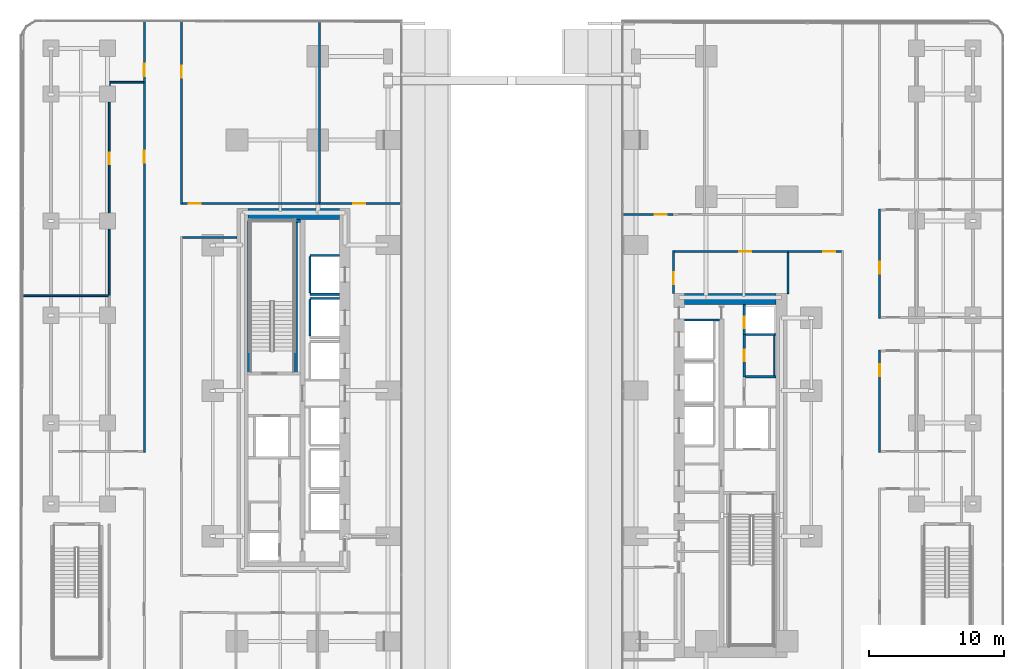
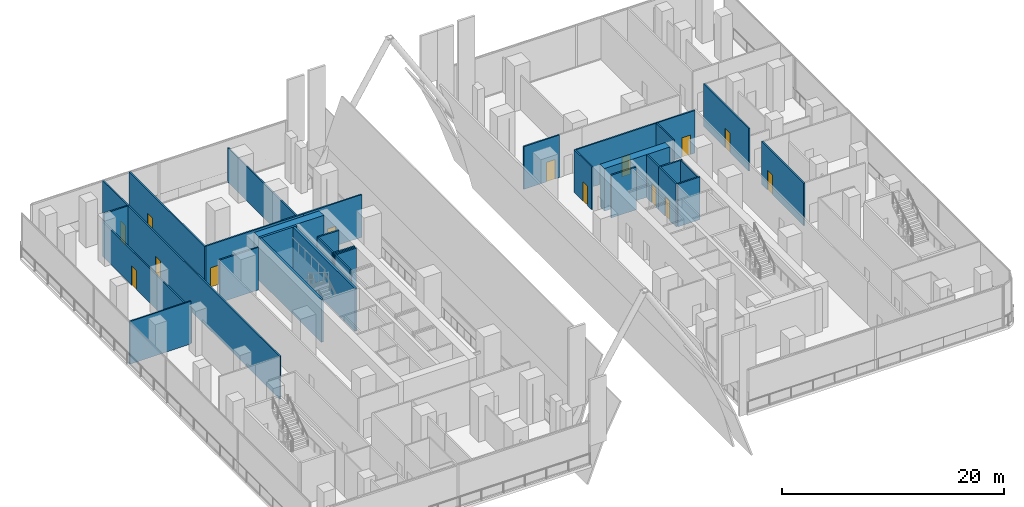
# One storey, part 9 of 31: 33 walls, 14 doors, 14 openings.
"""IFC4 building model written with IfcOpenShell, lengths in metres."""

from ifc_helpers import new_model, si_unit, direction, frame, frame_2d, origin, place, context, subcontext, project, spatial, rectangle, extrude, material, layer, layer_set, type_object, element, fill, save


model = new_model("IFC4")

# Units and contexts
model_context = context("Model", 3, precision=1e-05, world=origin(), true_north=direction((0.0, 1.0)))
body_context = subcontext(model_context, "Body", "Model", "MODEL_VIEW")
ifc_project = project(units=[si_unit("LENGTHUNIT", "METRE"), si_unit("AREAUNIT", "SQUARE_METRE"), si_unit("VOLUMEUNIT", "CUBIC_METRE"), si_unit("PLANEANGLEUNIT", "RADIAN"), si_unit("MASSUNIT", "GRAM", prefix="KILO")], contexts=[model_context])

# Site, building, storey
site_placement = place(None, origin())
site = spatial("IfcSite", under=ifc_project, at=site_placement, CompositionType="ELEMENT")
building_placement = place(site_placement, origin())
building = spatial("IfcBuilding", under=site, at=building_placement, Name="Khairoan Windgate Tower", CompositionType="ELEMENT")
storey_placement = place(building_placement, frame((0.0, 0.0, 6.0)))
storey = spatial("IfcBuildingStorey", under=building, at=storey_placement, Name="L02", CompositionType="ELEMENT", Elevation=6.0)

# Walls
ifc_material_1 = material(Name="Moisture-Resistant Gypsum Partition", Category="gypsum")
ifc_layer_1 = layer(ifc_material_1, 0.10009765625, Name="Moisture-Resistant Gypsum Partition")
ifc_layer_set_1 = layer_set([ifc_layer_1], Name="Moisture-Resistant Gypsum Partition")
wall_type_1 = type_object("IfcWallType", Name="Bathroom Wet-Area Partition Wall", PredefinedType="PARTITIONING", material=ifc_layer_set_1)
wall_1_placement = place(storey_placement, frame((19.449951171875, 4.090087890625, 0.0), z_axis=(0.0, 0.0, 1.0), x_axis=(0.0, -1.0, 0.0)))
element("IfcWall", 1, at=wall_1_placement, inside=storey, type_object=wall_type_1, Name="L02 Wet Room Side Wall 080", PredefinedType="PARTITIONING", context=body_context, shape_type="SweptSolid", body=[
    extrude(rectangle(XDim=2.97998046875, YDim=0.10009765625, at=frame_2d((1.489990234375, 0.0))), origin(), (0.0, 0.0, 1.0), 4.699951171875),
])
ifc_material_2 = material(Name="Concrete C40/50", Category="concrete")
ifc_layer_2 = layer(ifc_material_2, 0.159912109375, Name="Concrete C40/50")
ifc_layer_set_2 = layer_set([ifc_layer_2], Name="Concrete C40/50")
wall_type_2 = type_object("IfcWallType", Name="Core and Hoistway Enclosure Wall", PredefinedType="STANDARD", material=ifc_layer_set_2)
for number, where, z_axis, x_axis, name in (
    (2, (-14.989990234375, 7.159912109375, 0.0), (0.0, 0.0, 1.0), (1.0, 0.0, 0.0), "L02 Lift PL1 Hoistway Divider S"),
    (3, (-14.989990234375, 10.0400390625, 0.0), (0.0, 0.0, 1.0), (1.0, 0.0, 0.0), "L02 Lift PL1 Hoistway Divider N"),
):
    element("IfcWall", number, at=place(storey_placement, frame(where, z_axis=z_axis, x_axis=x_axis)), inside=storey, type_object=wall_type_2, Name=name, PredefinedType="STANDARD", context=body_context, shape_type="SweptSolid", body=[
        extrude(rectangle(XDim=2.18994140625, YDim=0.159912109375, at=frame_2d((1.094970703125, 0.0))), origin(), (0.0, 0.0, 1.0), 4.699951171875),
    ])
wall_2_placement = place(storey_placement, frame((-14.989990234375, 7.25, 0.0), z_axis=(0.0, 0.0, 1.0), x_axis=(0.0, 1.0, 0.0)))
element("IfcWall", 4, at=wall_2_placement, inside=storey, type_object=wall_type_2, Name="L02 Lift PL1 Hoistway Back Wall", PredefinedType="STANDARD", context=body_context, shape_type="SweptSolid", body=[
    extrude(rectangle(XDim=2.699951171875, YDim=0.159912109375, at=frame_2d((1.35009765625, 0.0))), origin(), (0.0, 0.0, 1.0), 4.699951171875),
])
wall_3_placement = place(storey_placement, frame((-14.989990234375, 6.840087890625, 0.0), z_axis=(0.0, 0.0, 1.0), x_axis=(1.0, 0.0, 0.0)))
element("IfcWall", 5, at=wall_3_placement, inside=storey, type_object=wall_type_2, Name="L02 Lift PL2 Hoistway Divider N", PredefinedType="STANDARD", context=body_context, shape_type="SweptSolid", body=[
    extrude(rectangle(XDim=2.18994140625, YDim=0.159912109375, at=frame_2d((1.094970703125, 0.0))), origin(), (0.0, 0.0, 1.0), 4.699951171875),
])
wall_4_placement = place(storey_placement, frame((-14.989990234375, 4.050048828125, 0.0), z_axis=(0.0, 0.0, 1.0), x_axis=(0.0, 1.0, 0.0)))
element("IfcWall", 6, at=wall_4_placement, inside=storey, type_object=wall_type_2, Name="L02 Lift PL2 Hoistway Back Wall", PredefinedType="STANDARD", context=body_context, shape_type="SweptSolid", body=[
    extrude(rectangle(XDim=2.699951171875, YDim=0.159912109375, at=frame_2d((1.35009765625, 0.0))), origin(), (0.0, 0.0, 1.0), 4.699951171875),
])
wall_5_placement = place(storey_placement, frame((12.800048828125, 5.25, 0.0), z_axis=(0.0, 0.0, 1.0), x_axis=(1.0, 0.0, 0.0)))
element("IfcWall", 7, at=wall_5_placement, inside=storey, type_object=wall_type_2, Name="L02 Core Shaft Wall SW-ESV-L02", PredefinedType="STANDARD", context=body_context, shape_type="SweptSolid", body=[
    extrude(rectangle(XDim=2.599853515625, YDim=0.159912109375, at=frame_2d((1.2998046875, 0.0))), origin(), (0.0, 0.0, 1.0), 4.699951171875),
])
ifc_material_3 = material(Name="Acoustic Fire-Rated Gypsum Partition", Category="gypsum")
ifc_layer_3 = layer(ifc_material_3, 0.139892578125, Name="Acoustic Fire-Rated Gypsum Partition")
ifc_layer_set_3 = layer_set([ifc_layer_3], Name="Acoustic Fire-Rated Gypsum Partition")
wall_type_3 = type_object("IfcWallType", Name="Inter-Tenancy Compartment Wall", PredefinedType="PARTITIONING", material=ifc_layer_set_3)
wall_6_placement = place(storey_placement, frame((-36.305908203125, 7.0400390625, 0.0), z_axis=(0.0, 0.0, 1.0), x_axis=(1.0, 0.0, 0.0)))
element("IfcWall", 8, at=wall_6_placement, inside=storey, type_object=wall_type_3, Name="L02 Interior Partition 031", PredefinedType="PARTITIONING", context=body_context, shape_type="SweptSolid", body=[
    extrude(rectangle(XDim=6.35595703125, YDim=0.139892578125, at=frame_2d((3.177978515625, 0.0))), origin(), (0.0, 0.0, 1.0), 4.699951171875),
])

# Wall, opening, door
wall_7_placement = place(storey_placement, frame((-29.8798828125, 7.0400390625, 0.0), z_axis=(0.0, 0.0, 1.0), x_axis=(0.0, 1.0, 0.0)))
wall_7 = element("IfcWall", 9, at=wall_7_placement, inside=storey, type_object=wall_type_3, Name="L02 Interior Partition 033", PredefinedType="PARTITIONING", context=body_context, shape_type="SweptSolid", body=[
    extrude(rectangle(XDim=15.909912109375, YDim=0.139892578125, at=frame_2d((7.955078125, 0.0))), origin(), (0.0, 0.0, 1.0), 3.800048828125),
])
opening_1_placement = place(wall_7_placement, frame((9.751953125, 0.0, 0.0)))
opening_1 = element("IfcOpeningElement", 10, at=opening_1_placement, cuts=wall_7, Name="Opening FD-SRV", PredefinedType="OPENING", context=body_context, shape_type="SweptSolid", body=[
    extrude(rectangle(XDim=0.85009765625, YDim=2.10009765625, at=frame_2d((0.425048828125, 1.050048828125))), frame((0.0, 0.079833984375, 0.0), z_axis=(0.0, -1.0, 0.0), x_axis=(1.0, 0.0, 0.0)), (0.0, 0.0, 1.0), 0.159912109375),
])
ifc_material_4 = material(Name="Steel S355", Category="steel")
door_type_1 = type_object("IfcDoorType", Name="Core Service and Riser Fire Door FD-SRV 850x2100", OperationType="NOTDEFINED", PredefinedType="DOOR", material=ifc_material_4)
door_1_placement = place(opening_1_placement, origin())
door_1 = element("IfcDoor", 11, at=door_1_placement, inside=storey, type_object=door_type_1, Name="L02 L02-38-L02-58 Door", OperationType="SINGLE_SWING_RIGHT", OverallHeight=2.10009765625, OverallWidth=0.85009765625, PredefinedType="DOOR", context=body_context, shape_type="SweptSolid", body=[
    extrude(rectangle(XDim=0.85009765625, YDim=2.10009765625, at=frame_2d((0.425048828125, 1.050048828125))), frame((0.0, 0.02490234375, 0.0), z_axis=(0.0, -1.0, 0.0), x_axis=(1.0, 0.0, 0.0)), (0.0, 0.0, 1.0), 0.050048828125),
])
fill(opening_1, door_1)

# Walls
wall_8_placement = place(storey_placement, frame((-14.280029296875, 13.955078125, 0.0), z_axis=(0.0, 0.0, 1.0), x_axis=(0.0, 1.0, 0.0)))
element("IfcWall", 12, at=wall_8_placement, inside=storey, type_object=wall_type_3, Name="L02 Interior Partition 034", PredefinedType="PARTITIONING", context=body_context, shape_type="SweptSolid", body=[
    extrude(rectangle(XDim=13.42529296875, YDim=0.139892578125, at=frame_2d((6.712646484375, 0.0))), origin(), (0.0, 0.0, 1.0), 3.800048828125),
])
wall_9_placement = place(storey_placement, frame((-29.81005859375, 22.8798828125, 0.0), z_axis=(0.0, 0.0, 1.0), x_axis=(1.0, 0.0, 0.0)))
element("IfcWall", 13, at=wall_9_placement, inside=storey, type_object=wall_type_3, Name="L02 Interior Partition 072", PredefinedType="PARTITIONING", context=body_context, shape_type="SweptSolid", body=[
    extrude(rectangle(XDim=2.455078125, YDim=0.139892578125, at=frame_2d((1.2275390625, 0.0))), origin(), (0.0, 0.0, 1.0), 4.699951171875),
])
wall_10_placement = place(storey_placement, frame((20.47509765625, 7.199951171875, 0.0), z_axis=(0.0, 0.0, 1.0), x_axis=(0.0, 1.0, 0.0)))
element("IfcWall", 14, at=wall_10_placement, inside=storey, type_object=wall_type_3, Name="L02 Interior Partition 076", PredefinedType="PARTITIONING", context=body_context, shape_type="SweptSolid", body=[
    extrude(rectangle(XDim=3.045166015625, YDim=0.139892578125, at=frame_2d((1.5224609375, 0.0))), origin(), (0.0, 0.0, 1.0), 4.699951171875),
])

# Wall, opening, door
ifc_material_5 = material(Name="Concrete C40/50", Category="concrete")
ifc_layer_4 = layer(ifc_material_5, 0.159912109375, Name="Concrete C40/50")
ifc_layer_set_4 = layer_set([ifc_layer_4], Name="Concrete C40/50")
wall_type_4 = type_object("IfcWallType", Name="Plant and Refuge Compartment Wall", PredefinedType="PARTITIONING", material=ifc_layer_set_4)
wall_11_placement = place(storey_placement, frame((17.22998046875, 4.169921875, 0.0), z_axis=(0.0, 0.0, 1.0), x_axis=(0.0, 1.0, 0.0)))
wall_11 = element("IfcWall", 15, at=wall_11_placement, inside=storey, type_object=wall_type_4, Name="L02 Interior Partition 006", PredefinedType="PARTITIONING", context=body_context, shape_type="SweptSolid", body=[
    extrude(rectangle(XDim=2.22998046875, YDim=0.159912109375, at=frame_2d((1.114990234375, 0.0))), origin(), (0.0, 0.0, 1.0), 4.699951171875),
])
opening_2_placement = place(wall_11_placement, frame((0.4599609375, 0.0, 0.0)))
opening_2 = element("IfcOpeningElement", 16, at=opening_2_placement, cuts=wall_11, Name="Opening FD-SRV", PredefinedType="OPENING", context=body_context, shape_type="SweptSolid", body=[
    extrude(rectangle(XDim=0.85009765625, YDim=2.10009765625, at=frame_2d((0.425048828125, 1.050048828125))), frame((0.0, 0.08984375, 0.0), z_axis=(0.0, -1.0, 0.0), x_axis=(1.0, 0.0, 0.0)), (0.0, 0.0, 1.0), 0.179931640625),
])
door_2_placement = place(opening_2_placement, origin())
door_2 = element("IfcDoor", 17, at=door_2_placement, inside=storey, type_object=door_type_1, Name="L02 L02-19-L02-20 Door", OperationType="SINGLE_SWING_LEFT", OverallHeight=2.10009765625, OverallWidth=0.85009765625, PredefinedType="DOOR", context=body_context, shape_type="SweptSolid", body=[
    extrude(rectangle(XDim=0.85009765625, YDim=2.10009765625, at=frame_2d((0.425048828125, 1.050048828125))), frame((0.0, 0.02490234375, 0.0), z_axis=(0.0, -1.0, 0.0), x_axis=(1.0, 0.0, 0.0)), (0.0, 0.0, 1.0), 0.050048828125),
])
fill(opening_2, door_2)

wall_12_placement = place(storey_placement, frame((17.22998046875, 1.030029296875, 0.0), z_axis=(0.0, 0.0, 1.0), x_axis=(0.0, 1.0, 0.0)))
wall_12 = element("IfcWall", 18, at=wall_12_placement, inside=storey, type_object=wall_type_4, Name="L02 Interior Partition 008", PredefinedType="PARTITIONING", context=body_context, shape_type="SweptSolid", body=[
    extrude(rectangle(XDim=3.139892578125, YDim=0.159912109375, at=frame_2d((1.56982421875, 0.0))), origin(), (0.0, 0.0, 1.0), 4.699951171875),
])
opening_3_placement = place(wall_12_placement, frame((1.14501953125, 0.0, 0.0)))
opening_3 = element("IfcOpeningElement", 19, at=opening_3_placement, cuts=wall_12, Name="Opening FD-SRV", PredefinedType="OPENING", context=body_context, shape_type="SweptSolid", body=[
    extrude(rectangle(XDim=0.85009765625, YDim=2.10009765625, at=frame_2d((0.425048828125, 1.050048828125))), frame((0.0, 0.08984375, 0.0), z_axis=(0.0, -1.0, 0.0), x_axis=(1.0, 0.0, 0.0)), (0.0, 0.0, 1.0), 0.179931640625),
])
door_3_placement = place(opening_3_placement, origin())
door_3 = element("IfcDoor", 20, at=door_3_placement, inside=storey, type_object=door_type_1, Name="L02 L02-19-L02-22 Door", OperationType="SINGLE_SWING_LEFT", OverallHeight=2.10009765625, OverallWidth=0.85009765625, PredefinedType="DOOR", context=body_context, shape_type="SweptSolid", body=[
    extrude(rectangle(XDim=0.85009765625, YDim=2.10009765625, at=frame_2d((0.425048828125, 1.050048828125))), frame((0.0, 0.02490234375, 0.0), z_axis=(0.0, -1.0, 0.0), x_axis=(1.0, 0.0, 0.0)), (0.0, 0.0, 1.0), 0.050048828125),
])
fill(opening_3, door_3)

# Walls
for number, where, z_axis, x_axis, name in (
    (21, (17.31005859375, 4.169921875, 0.0), (0.0, 0.0, 1.0), (1.0, 0.0, 0.0), "L02 Interior Partition 009"),
    (22, (17.31005859375, 1.030029296875, 0.0), (0.0, 0.0, 1.0), (1.0, 0.0, 0.0), "L02 Interior Partition 010"),
):
    element("IfcWall", number, at=place(storey_placement, frame(where, z_axis=z_axis, x_axis=x_axis)), inside=storey, type_object=wall_type_4, Name=name, PredefinedType="PARTITIONING", context=body_context, shape_type="SweptSolid", body=[
        extrude(rectangle(XDim=2.2900390625, YDim=0.159912109375, at=frame_2d((1.14501953125, 0.0))), origin(), (0.0, 0.0, 1.0), 4.699951171875),
    ])

# Wall, opening, door
ifc_material_6 = material(Name="Acoustic Fire-Rated Gypsum Partition", Category="gypsum")
ifc_layer_5 = layer(ifc_material_6, 0.14990234375, Name="Acoustic Fire-Rated Gypsum Partition")
ifc_layer_set_5 = layer_set([ifc_layer_5], Name="Acoustic Fire-Rated Gypsum Partition")
wall_type_5 = type_object("IfcWallType", Name="Rated Corridor Partition Wall", PredefinedType="PARTITIONING", material=ifc_layer_set_5)
wall_13_placement = place(storey_placement, frame((-24.52001953125, 13.804931640625, 0.0), z_axis=(0.0, 0.0, 1.0), x_axis=(0.0, 1.0, 0.0)))
wall_13 = element("IfcWall", 23, at=wall_13_placement, inside=storey, type_object=wall_type_5, Name="L02 Interior Partition 013", PredefinedType="PARTITIONING", context=body_context, shape_type="SweptSolid", body=[
    extrude(rectangle(XDim=13.607666015625, YDim=0.14990234375, at=frame_2d((6.8037109375, 0.0))), origin(), (0.0, 0.0, 1.0), 4.699951171875),
])
opening_4_placement = place(wall_13_placement, frame((9.40234375, 0.0, 0.0)))
opening_4 = element("IfcOpeningElement", 24, at=opening_4_placement, cuts=wall_13, Name="Opening FD-ENT", PredefinedType="OPENING", context=body_context, shape_type="SweptSolid", body=[
    extrude(rectangle(XDim=0.89990234375, YDim=2.14990234375, at=frame_2d((0.449951171875, 1.074951171875))), frame((0.0, 0.0849609375, 0.0), z_axis=(0.0, -1.0, 0.0), x_axis=(1.0, 0.0, 0.0)), (0.0, 0.0, 1.0), 0.169921875),
])
ifc_material_7 = material(Name="Timber Fire-Rated Core", Category="wood")
door_type_2 = type_object("IfcDoorType", Name="Unit and Office Fire Entrance Door FD-ENT 900x2150", OperationType="NOTDEFINED", PredefinedType="DOOR", material=ifc_material_7)
door_4_placement = place(opening_4_placement, origin())
door_4 = element("IfcDoor", 25, at=door_4_placement, inside=storey, type_object=door_type_2, Name="L02 L02-32-L02-39 Door", OperationType="SINGLE_SWING_RIGHT", OverallHeight=2.14990234375, OverallWidth=0.89990234375, PredefinedType="DOOR", context=body_context, shape_type="SweptSolid", body=[
    extrude(rectangle(XDim=0.89990234375, YDim=2.14990234375, at=frame_2d((0.449951171875, 1.074951171875))), frame((0.0, 0.02490234375, 0.0), z_axis=(0.0, -1.0, 0.0), x_axis=(1.0, 0.0, 0.0)), (0.0, 0.0, 1.0), 0.050048828125),
])
fill(opening_4, door_4)

wall_14_placement = place(storey_placement, frame((-27.280029296875, -4.576171875, 0.0), z_axis=(0.0, 0.0, 1.0), x_axis=(0.0, 1.0, 0.0)))
wall_14 = element("IfcWall", 26, at=wall_14_placement, inside=storey, type_object=wall_type_5, Name="L02 Interior Partition 018", PredefinedType="PARTITIONING", context=body_context, shape_type="SweptSolid", body=[
    extrude(rectangle(XDim=27.4560546875, YDim=0.14990234375, at=frame_2d((13.72802734375, 0.0))), origin(), (0.0, 0.0, 1.0), 4.699951171875),
])
opening_5_placement = place(wall_14_placement, frame((21.48974609375, 0.0, 0.0)))
opening_5 = element("IfcOpeningElement", 27, at=opening_5_placement, cuts=wall_14, Name="Opening FD-ENT", PredefinedType="OPENING", context=body_context, shape_type="SweptSolid", body=[
    extrude(rectangle(XDim=0.89990234375, YDim=2.14990234375, at=frame_2d((0.449951171875, 1.074951171875))), frame((0.0, 0.0849609375, 0.0), z_axis=(0.0, -1.0, 0.0), x_axis=(1.0, 0.0, 0.0)), (0.0, 0.0, 1.0), 0.169921875),
])
door_5_placement = place(opening_5_placement, origin())
door_5 = element("IfcDoor", 28, at=door_5_placement, inside=storey, type_object=door_type_2, Name="L02 L02-32-L02-58 Door", OperationType="SINGLE_SWING_LEFT", OverallHeight=2.14990234375, OverallWidth=0.89990234375, PredefinedType="DOOR", context=body_context, shape_type="SweptSolid", body=[
    extrude(rectangle(XDim=0.89990234375, YDim=2.14990234375, at=frame_2d((0.449951171875, 1.074951171875))), frame((0.0, 0.02490234375, 0.0), z_axis=(0.0, -1.0, 0.0), x_axis=(1.0, 0.0, 0.0)), (0.0, 0.0, 1.0), 0.050048828125),
])
fill(opening_5, door_5)

wall_15_placement = place(storey_placement, frame((-27.280029296875, 22.8798828125, 0.0), z_axis=(0.0, 0.0, 1.0), x_axis=(0.0, 1.0, 0.0)))
wall_15 = element("IfcWall", 29, at=wall_15_placement, inside=storey, type_object=wall_type_5, Name="L02 Interior Partition 020", PredefinedType="PARTITIONING", context=body_context, shape_type="SweptSolid", body=[
    extrude(rectangle(XDim=4.54150390625, YDim=0.14990234375, at=frame_2d((2.270751953125, 0.0))), origin(), (0.0, 0.0, 1.0), 4.699951171875),
])
opening_6_placement = place(wall_15_placement, frame((0.4599609375, 0.0, 0.0)))
opening_6 = element("IfcOpeningElement", 30, at=opening_6_placement, cuts=wall_15, Name="Opening FD-ENT", PredefinedType="OPENING", context=body_context, shape_type="SweptSolid", body=[
    extrude(rectangle(XDim=0.89990234375, YDim=2.14990234375, at=frame_2d((0.449951171875, 1.074951171875))), frame((0.0, 0.0849609375, 0.0), z_axis=(0.0, -1.0, 0.0), x_axis=(1.0, 0.0, 0.0)), (0.0, 0.0, 1.0), 0.169921875),
])
door_6_placement = place(opening_6_placement, origin())
door_6 = element("IfcDoor", 31, at=door_6_placement, inside=storey, type_object=door_type_2, Name="L02 L02-32-L02-69 Door", OperationType="SINGLE_SWING_LEFT", OverallHeight=2.14990234375, OverallWidth=0.89990234375, PredefinedType="DOOR", context=body_context, shape_type="SweptSolid", body=[
    extrude(rectangle(XDim=0.89990234375, YDim=2.14990234375, at=frame_2d((0.449951171875, 1.074951171875))), frame((0.0, 0.02490234375, 0.0), z_axis=(0.0, -1.0, 0.0), x_axis=(1.0, 0.0, 0.0)), (0.0, 0.0, 1.0), 0.050048828125),
])
fill(opening_6, door_6)

wall_16_placement = place(storey_placement, frame((-24.445068359375, 13.8798828125, 0.0), z_axis=(0.0, 0.0, 1.0), x_axis=(1.0, 0.0, 0.0)))
wall_16 = element("IfcWall", 32, at=wall_16_placement, inside=storey, type_object=wall_type_5, Name="L02 Interior Partition 025", PredefinedType="PARTITIONING", context=body_context, shape_type="SweptSolid", body=[
    extrude(rectangle(XDim=10.1650390625, YDim=0.14990234375, at=frame_2d((5.08251953125, 0.0))), origin(), (0.0, 0.0, 1.0), 4.699951171875),
])
opening_7_placement = place(wall_16_placement, frame((0.4599609375, 0.0, 0.0)))
opening_7 = element("IfcOpeningElement", 33, at=opening_7_placement, cuts=wall_16, Name="Opening FD-ENT", PredefinedType="OPENING", context=body_context, shape_type="SweptSolid", body=[
    extrude(rectangle(XDim=0.89990234375, YDim=2.14990234375, at=frame_2d((0.449951171875, 1.074951171875))), frame((0.0, 0.0849609375, 0.0), z_axis=(0.0, -1.0, 0.0), x_axis=(1.0, 0.0, 0.0)), (0.0, 0.0, 1.0), 0.169921875),
])
door_7_placement = place(opening_7_placement, origin())
door_7 = element("IfcDoor", 34, at=door_7_placement, inside=storey, type_object=door_type_2, Name="L02 L02-34-L02-39 Door", OperationType="SINGLE_SWING_RIGHT", OverallHeight=2.14990234375, OverallWidth=0.89990234375, PredefinedType="DOOR", context=body_context, shape_type="SweptSolid", body=[
    extrude(rectangle(XDim=0.89990234375, YDim=2.14990234375, at=frame_2d((0.449951171875, 1.074951171875))), frame((0.0, 0.02490234375, 0.0), z_axis=(0.0, -1.0, 0.0), x_axis=(1.0, 0.0, 0.0)), (0.0, 0.0, 1.0), 0.050048828125),
])
fill(opening_7, door_7)

# Wall
wall_17_placement = place(storey_placement, frame((-24.445068359375, 11.360107421875, 0.0), z_axis=(0.0, 0.0, 1.0), x_axis=(1.0, 0.0, 0.0)))
element("IfcWall", 35, at=wall_17_placement, inside=storey, type_object=wall_type_5, Name="L02 Interior Partition 026", PredefinedType="PARTITIONING", context=body_context, shape_type="SweptSolid", body=[
    extrude(rectangle(XDim=4.045166015625, YDim=0.14990234375, at=frame_2d((2.0224609375, 0.0))), origin(), (0.0, 0.0, 1.0), 4.699951171875),
])

# Wall, opening, door
wall_18_placement = place(storey_placement, frame((-14.280029296875, 13.8798828125, 0.0), z_axis=(0.0, 0.0, 1.0), x_axis=(1.0, 0.0, 0.0)))
wall_18 = element("IfcWall", 36, at=wall_18_placement, inside=storey, type_object=wall_type_5, Name="L02 Interior Partition 027", PredefinedType="PARTITIONING", context=body_context, shape_type="SweptSolid", body=[
    extrude(rectangle(XDim=6.074951171875, YDim=0.14990234375, at=frame_2d((3.03759765625, 0.0))), origin(), (0.0, 0.0, 1.0), 4.699951171875),
])
opening_8_placement = place(wall_18_placement, frame((2.486083984375, 0.0, 0.0)))
opening_8 = element("IfcOpeningElement", 37, at=opening_8_placement, cuts=wall_18, Name="Opening FD-ENT", PredefinedType="OPENING", context=body_context, shape_type="SweptSolid", body=[
    extrude(rectangle(XDim=0.89990234375, YDim=2.14990234375, at=frame_2d((0.449951171875, 1.074951171875))), frame((0.0, 0.0849609375, 0.0), z_axis=(0.0, -1.0, 0.0), x_axis=(1.0, 0.0, 0.0)), (0.0, 0.0, 1.0), 0.169921875),
])
door_8_placement = place(opening_8_placement, origin())
door_8 = element("IfcDoor", 38, at=door_8_placement, inside=storey, type_object=door_type_2, Name="L02 L02-34-L02-71 Door", OperationType="SINGLE_SWING_RIGHT", OverallHeight=2.14990234375, OverallWidth=0.89990234375, PredefinedType="DOOR", context=body_context, shape_type="SweptSolid", body=[
    extrude(rectangle(XDim=0.89990234375, YDim=2.14990234375, at=frame_2d((0.449951171875, 1.074951171875))), frame((0.0, 0.02490234375, 0.0), z_axis=(0.0, -1.0, 0.0), x_axis=(1.0, 0.0, 0.0)), (0.0, 0.0, 1.0), 0.050048828125),
])
fill(opening_8, door_8)

wall_19_placement = place(storey_placement, frame((11.989990234375, 7.199951171875, 0.0), z_axis=(0.0, 0.0, 1.0), x_axis=(0.0, 1.0, 0.0)))
wall_19 = element("IfcWall", 39, at=wall_19_placement, inside=storey, type_object=wall_type_5, Name="L02 Interior Partition 039", PredefinedType="PARTITIONING", context=body_context, shape_type="SweptSolid", body=[
    extrude(rectangle(XDim=3.195068359375, YDim=0.14990234375, at=frame_2d((1.59765625, 0.0))), origin(), (0.0, 0.0, 1.0), 4.699951171875),
])
opening_9_placement = place(wall_19_placement, frame((0.689208984375, 0.0, 0.0)))
opening_9 = element("IfcOpeningElement", 40, at=opening_9_placement, cuts=wall_19, Name="Opening FD-ENT", PredefinedType="OPENING", context=body_context, shape_type="SweptSolid", body=[
    extrude(rectangle(XDim=0.89990234375, YDim=2.14990234375, at=frame_2d((0.449951171875, 1.074951171875))), frame((0.0, 0.0849609375, 0.0), z_axis=(0.0, -1.0, 0.0), x_axis=(1.0, 0.0, 0.0)), (0.0, 0.0, 1.0), 0.169921875),
])
door_9_placement = place(opening_9_placement, origin())
door_9 = element("IfcDoor", 41, at=door_9_placement, inside=storey, type_object=door_type_2, Name="L02 L02-42-L02-66 Door", OperationType="SINGLE_SWING_RIGHT", OverallHeight=2.14990234375, OverallWidth=0.89990234375, PredefinedType="DOOR", context=body_context, shape_type="SweptSolid", body=[
    extrude(rectangle(XDim=0.89990234375, YDim=2.14990234375, at=frame_2d((0.449951171875, 1.074951171875))), frame((0.0, 0.02490234375, 0.0), z_axis=(0.0, -1.0, 0.0), x_axis=(1.0, 0.0, 0.0)), (0.0, 0.0, 1.0), 0.050048828125),
])
fill(opening_9, door_9)

wall_20_placement = place(storey_placement, frame((8.205078125, 13.080078125, 0.0), z_axis=(0.0, 0.0, 1.0), x_axis=(1.0, 0.0, 0.0)))
wall_20 = element("IfcWall", 42, at=wall_20_placement, inside=storey, type_object=wall_type_5, Name="L02 Interior Partition 040", PredefinedType="PARTITIONING", context=body_context, shape_type="SweptSolid", body=[
    extrude(rectangle(XDim=3.73486328125, YDim=0.14990234375, at=frame_2d((1.867431640625, 0.0))), origin(), (0.0, 0.0, 1.0), 4.699951171875),
])
opening_10_placement = place(wall_20_placement, frame((2.375, 0.0, 0.0)))
opening_10 = element("IfcOpeningElement", 43, at=opening_10_placement, cuts=wall_20, Name="Opening FD-ENT", PredefinedType="OPENING", context=body_context, shape_type="SweptSolid", body=[
    extrude(rectangle(XDim=0.89990234375, YDim=2.14990234375, at=frame_2d((0.449951171875, 1.074951171875))), frame((0.0, 0.0849609375, 0.0), z_axis=(0.0, -1.0, 0.0), x_axis=(1.0, 0.0, 0.0)), (0.0, 0.0, 1.0), 0.169921875),
])
door_10_placement = place(opening_10_placement, origin())
door_10 = element("IfcDoor", 44, at=door_10_placement, inside=storey, type_object=door_type_2, Name="L02 L02-42-L02-72 Door", OperationType="SINGLE_SWING_LEFT", OverallHeight=2.14990234375, OverallWidth=0.89990234375, PredefinedType="DOOR", context=body_context, shape_type="SweptSolid", body=[
    extrude(rectangle(XDim=0.89990234375, YDim=2.14990234375, at=frame_2d((0.449951171875, 1.074951171875))), frame((0.0, 0.02490234375, 0.0), z_axis=(0.0, -1.0, 0.0), x_axis=(1.0, 0.0, 0.0)), (0.0, 0.0, 1.0), 0.050048828125),
])
fill(opening_10, door_10)

wall_21_placement = place(storey_placement, frame((27.280029296875, -4.594970703125, 0.0), z_axis=(0.0, 0.0, 1.0), x_axis=(0.0, 1.0, 0.0)))
wall_21 = element("IfcWall", 45, at=wall_21_placement, inside=storey, type_object=wall_type_5, Name="L02 Interior Partition 042", PredefinedType="PARTITIONING", context=body_context, shape_type="SweptSolid", body=[
    extrude(rectangle(XDim=7.6298828125, YDim=0.14990234375, at=frame_2d((3.81494140625, 0.0))), origin(), (0.0, 0.0, 1.0), 4.699951171875),
])
opening_11_placement = place(wall_21_placement, frame((5.6689453125, 0.0, 0.0)))
opening_11 = element("IfcOpeningElement", 46, at=opening_11_placement, cuts=wall_21, Name="Opening FD-ENT", PredefinedType="OPENING", context=body_context, shape_type="SweptSolid", body=[
    extrude(rectangle(XDim=0.89990234375, YDim=2.14990234375, at=frame_2d((0.449951171875, 1.074951171875))), frame((0.0, 0.0849609375, 0.0), z_axis=(0.0, -1.0, 0.0), x_axis=(1.0, 0.0, 0.0)), (0.0, 0.0, 1.0), 0.169921875),
])
door_11_placement = place(opening_11_placement, origin())
door_11 = element("IfcDoor", 47, at=door_11_placement, inside=storey, type_object=door_type_2, Name="L02 L02-43-L02-49 Door", OperationType="SINGLE_SWING_LEFT", OverallHeight=2.14990234375, OverallWidth=0.89990234375, PredefinedType="DOOR", context=body_context, shape_type="SweptSolid", body=[
    extrude(rectangle(XDim=0.89990234375, YDim=2.14990234375, at=frame_2d((0.449951171875, 1.074951171875))), frame((0.0, 0.02490234375, 0.0), z_axis=(0.0, -1.0, 0.0), x_axis=(1.0, 0.0, 0.0)), (0.0, 0.0, 1.0), 0.050048828125),
])
fill(opening_11, door_11)

wall_22_placement = place(storey_placement, frame((27.280029296875, 5.364990234375, 0.0), z_axis=(0.0, 0.0, 1.0), x_axis=(0.0, 1.0, 0.0)))
wall_22 = element("IfcWall", 48, at=wall_22_placement, inside=storey, type_object=wall_type_5, Name="L02 Interior Partition 043", PredefinedType="PARTITIONING", context=body_context, shape_type="SweptSolid", body=[
    extrude(rectangle(XDim=8.130126953125, YDim=0.14990234375, at=frame_2d((4.06494140625, 0.0))), origin(), (0.0, 0.0, 1.0), 4.699951171875),
])
opening_12_placement = place(wall_22_placement, frame((3.309814453125, 0.0, 0.0)))
opening_12 = element("IfcOpeningElement", 49, at=opening_12_placement, cuts=wall_22, Name="Opening FD-ENT", PredefinedType="OPENING", context=body_context, shape_type="SweptSolid", body=[
    extrude(rectangle(XDim=0.89990234375, YDim=2.14990234375, at=frame_2d((0.449951171875, 1.074951171875))), frame((0.0, 0.0849609375, 0.0), z_axis=(0.0, -1.0, 0.0), x_axis=(1.0, 0.0, 0.0)), (0.0, 0.0, 1.0), 0.169921875),
])
door_12_placement = place(opening_12_placement, origin())
door_12 = element("IfcDoor", 50, at=door_12_placement, inside=storey, type_object=door_type_2, Name="L02 L02-43-L02-51 Door", OperationType="SINGLE_SWING_RIGHT", OverallHeight=2.14990234375, OverallWidth=0.89990234375, PredefinedType="DOOR", context=body_context, shape_type="SweptSolid", body=[
    extrude(rectangle(XDim=0.89990234375, YDim=2.14990234375, at=frame_2d((0.449951171875, 1.074951171875))), frame((0.0, 0.02490234375, 0.0), z_axis=(0.0, -1.0, 0.0), x_axis=(1.0, 0.0, 0.0)), (0.0, 0.0, 1.0), 0.050048828125),
])
fill(opening_12, door_12)

wall_23_placement = place(storey_placement, frame((20.47509765625, 10.320068359375, 0.0), z_axis=(0.0, 0.0, 1.0), x_axis=(1.0, 0.0, 0.0)))
wall_23 = element("IfcWall", 51, at=wall_23_placement, inside=storey, type_object=wall_type_5, Name="L02 Interior Partition 060", PredefinedType="PARTITIONING", context=body_context, shape_type="SweptSolid", body=[
    extrude(rectangle(XDim=3.969970703125, YDim=0.14990234375, at=frame_2d((1.98486328125, 0.0))), origin(), (0.0, 0.0, 1.0), 4.699951171875),
])
opening_13_placement = place(wall_23_placement, frame((2.610107421875, 0.0, 0.0)))
opening_13 = element("IfcOpeningElement", 52, at=opening_13_placement, cuts=wall_23, Name="Opening FD-ENT", PredefinedType="OPENING", context=body_context, shape_type="SweptSolid", body=[
    extrude(rectangle(XDim=0.89990234375, YDim=2.14990234375, at=frame_2d((0.449951171875, 1.074951171875))), frame((0.0, 0.0849609375, 0.0), z_axis=(0.0, -1.0, 0.0), x_axis=(1.0, 0.0, 0.0)), (0.0, 0.0, 1.0), 0.169921875),
])
door_13_placement = place(opening_13_placement, origin())
door_13 = element("IfcDoor", 53, at=door_13_placement, inside=storey, type_object=door_type_2, Name="L02 L02-46-L02-63 Door", OperationType="SINGLE_SWING_LEFT", OverallHeight=2.14990234375, OverallWidth=0.89990234375, PredefinedType="DOOR", context=body_context, shape_type="SweptSolid", body=[
    extrude(rectangle(XDim=0.89990234375, YDim=2.14990234375, at=frame_2d((0.449951171875, 1.074951171875))), frame((0.0, 0.02490234375, 0.0), z_axis=(0.0, -1.0, 0.0), x_axis=(1.0, 0.0, 0.0)), (0.0, 0.0, 1.0), 0.050048828125),
])
fill(opening_13, door_13)

wall_24_placement = place(storey_placement, frame((12.06494140625, 10.320068359375, 0.0), z_axis=(0.0, 0.0, 1.0), x_axis=(1.0, 0.0, 0.0)))
wall_24 = element("IfcWall", 54, at=wall_24_placement, inside=storey, type_object=wall_type_5, Name="L02 Interior Partition 061", PredefinedType="PARTITIONING", context=body_context, shape_type="SweptSolid", body=[
    extrude(rectangle(XDim=8.41015625, YDim=0.14990234375, at=frame_2d((4.205078125, 0.0))), origin(), (0.0, 0.0, 1.0), 4.699951171875),
])
opening_14_placement = place(wall_24_placement, frame((4.78466796875, 0.0, 0.0)))
opening_14 = element("IfcOpeningElement", 55, at=opening_14_placement, cuts=wall_24, Name="Opening FD-ENT", PredefinedType="OPENING", context=body_context, shape_type="SweptSolid", body=[
    extrude(rectangle(XDim=0.89990234375, YDim=2.14990234375, at=frame_2d((0.449951171875, 1.074951171875))), frame((0.0, 0.0849609375, 0.0), z_axis=(0.0, -1.0, 0.0), x_axis=(1.0, 0.0, 0.0)), (0.0, 0.0, 1.0), 0.169921875),
])
door_14_placement = place(opening_14_placement, origin())
door_14 = element("IfcDoor", 56, at=door_14_placement, inside=storey, type_object=door_type_2, Name="L02 L02-46-L02-66 Door", OperationType="SINGLE_SWING_RIGHT", OverallHeight=2.14990234375, OverallWidth=0.89990234375, PredefinedType="DOOR", context=body_context, shape_type="SweptSolid", body=[
    extrude(rectangle(XDim=0.89990234375, YDim=2.14990234375, at=frame_2d((0.449951171875, 1.074951171875))), frame((0.0, 0.02490234375, 0.0), z_axis=(0.0, -1.0, 0.0), x_axis=(1.0, 0.0, 0.0)), (0.0, 0.0, 1.0), 0.050048828125),
])
fill(opening_14, door_14)

# Walls
ifc_material_8 = material(Name="Concrete C70/85", Category="concrete")
ifc_layer_6 = layer(ifc_material_8, 0.800048828125, Name="Concrete C70/85")
ifc_layer_set_6 = layer_set([ifc_layer_6], Name="Concrete C70/85")
wall_type_6 = type_object("IfcWallType", Name="Shear Wall CW-E1 800mm", PredefinedType="SHEAR", material=ifc_layer_set_6)
wall_25_placement = place(storey_placement, frame((12.800048828125, 6.800048828125, 0.0), z_axis=(0.0, 0.0, 1.0), x_axis=(1.0, 0.0, 0.0)))
element("IfcWall", 57, at=wall_25_placement, inside=storey, type_object=wall_type_6, Name="E Core North Shear Wall L02", PredefinedType="SHEAR", context=body_context, shape_type="SweptSolid", body=[
    extrude(rectangle(XDim=6.800048828125, YDim=0.800048828125, at=frame_2d((3.39990234375, 0.0))), origin(), (0.0, 0.0, 1.0), 4.699951171875),
])
ifc_material_9 = material(Name="Concrete C70/85", Category="concrete")
ifc_layer_7 = layer(ifc_material_9, 0.800048828125, Name="Concrete C70/85")
ifc_layer_set_7 = layer_set([ifc_layer_7], Name="Concrete C70/85")
wall_type_7 = type_object("IfcWallType", Name="Shear Wall CW-W1 800mm", PredefinedType="SHEAR", material=ifc_layer_set_7)
wall_26_placement = place(storey_placement, frame((-19.60009765625, 13.10009765625, 0.0), z_axis=(0.0, 0.0, 1.0), x_axis=(1.0, 0.0, 0.0)))
element("IfcWall", 58, at=wall_26_placement, inside=storey, type_object=wall_type_7, Name="W Core North Shear Wall L02", PredefinedType="SHEAR", context=body_context, shape_type="SweptSolid", body=[
    extrude(rectangle(XDim=6.800048828125, YDim=0.800048828125, at=frame_2d((3.39990234375, 0.0))), origin(), (0.0, 0.0, 1.0), 4.699951171875),
])
ifc_material_10 = material(Name="Concrete C50/60", Category="concrete")
ifc_layer_8 = layer(ifc_material_10, 0.219970703125, Name="Concrete C50/60")
ifc_layer_set_8 = layer_set([ifc_layer_8], Name="Concrete C50/60")
wall_type_8 = type_object("IfcWallType", Name="Shear Wall SW-ST 220mm", PredefinedType="SHEAR", material=ifc_layer_set_8)
for number, where, z_axis, x_axis, name in (
    (59, (-16.0400390625, 1.2900390625, 0.0), (0.0, 0.0, 1.0), (0.0, 1.0, 0.0), "L02 Stair ST2 East Bearing Wall"),
    (60, (-19.530029296875, 1.2900390625, 0.0), (0.0, 0.0, 1.0), (0.0, 1.0, 0.0), "L02 Stair ST2 West Bearing Wall"),
):
    element("IfcWall", number, at=place(storey_placement, frame(where, z_axis=z_axis, x_axis=x_axis)), inside=storey, type_object=wall_type_8, Name=name, PredefinedType="SHEAR", context=body_context, shape_type="SweptSolid", body=[
        extrude(rectangle(XDim=11.300048828125, YDim=0.219970703125, at=frame_2d((5.64990234375, 0.0))), origin(), (0.0, 0.0, 1.0), 4.699951171875),
    ])
wall_27_placement = place(storey_placement, frame((-19.6201171875, 12.590087890625, 0.0), z_axis=(0.0, 0.0, 1.0), x_axis=(1.0, 0.0, 0.0)))
element("IfcWall", 61, at=wall_27_placement, inside=storey, type_object=wall_type_8, Name="L02 Stair ST2 North Bearing Wall", PredefinedType="SHEAR", context=body_context, shape_type="SweptSolid", body=[
    extrude(rectangle(XDim=3.9150390625, YDim=0.219970703125, at=frame_2d((1.95751953125, 0.0))), origin(), (0.0, 0.0, 1.0), 4.699951171875),
])

save(model, "model.ifc")
